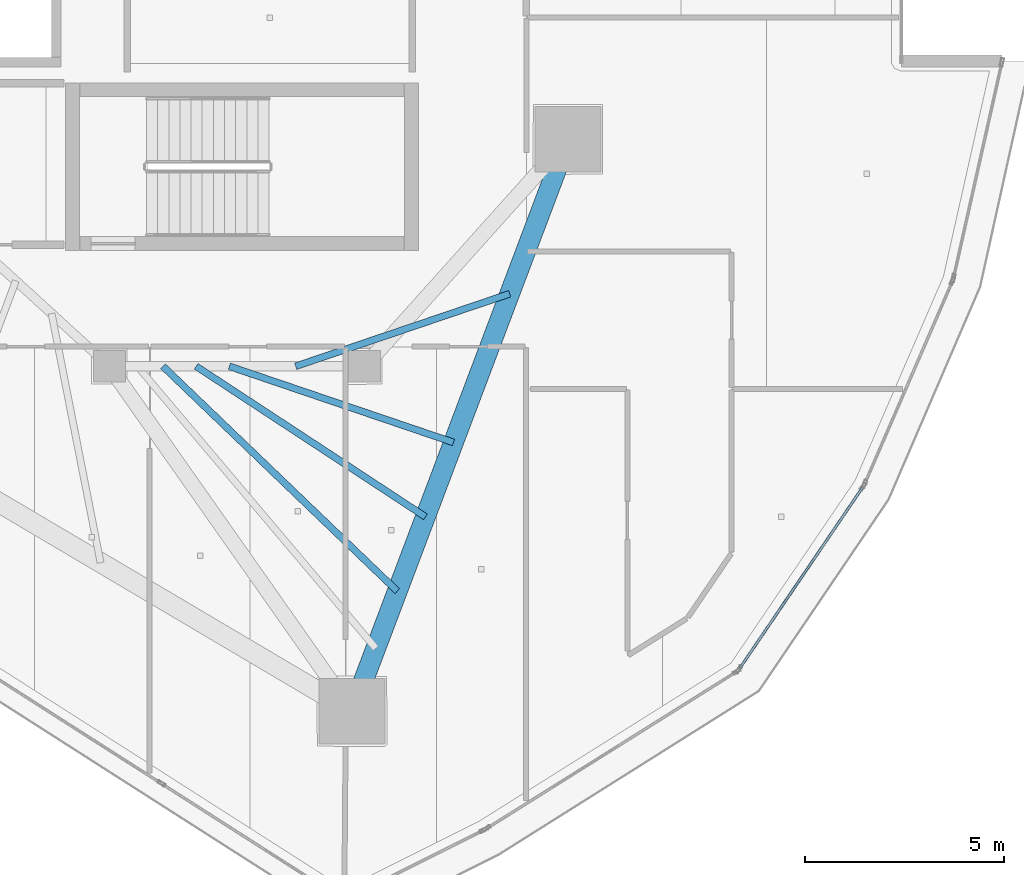
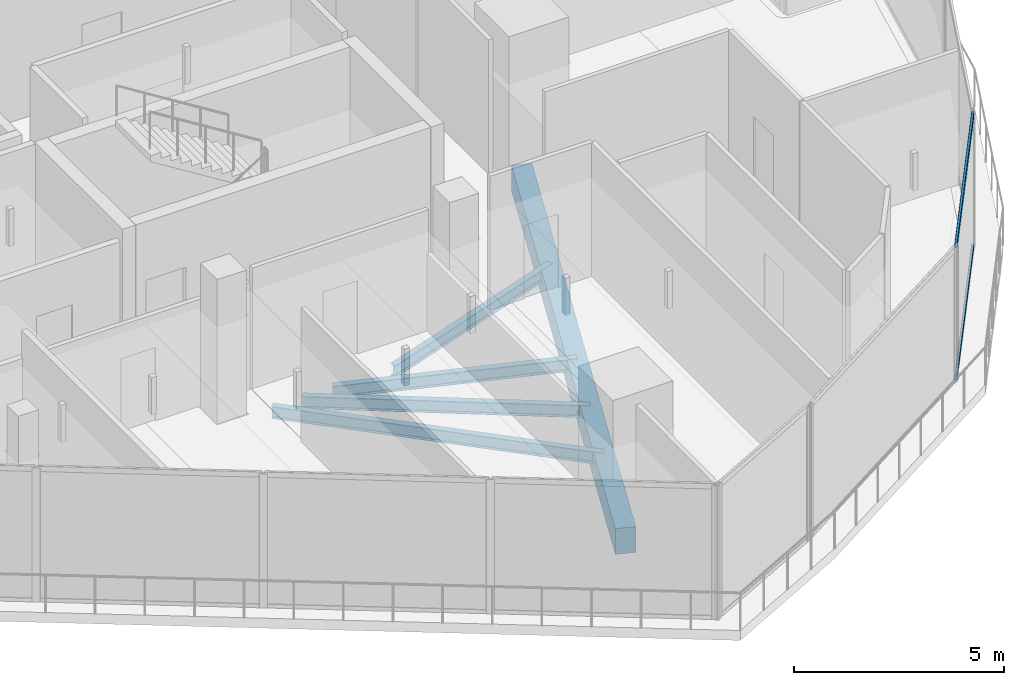
# One storey, part 11 of 33: 5 beams, 2 members, 1 element without a shape of its own.
"""IFC4 building model written with IfcOpenShell, lengths in metres."""

from ifc_helpers import new_model, si_unit, direction, frame, origin, origin_2d, place, context, subcontext, project, spatial, rectangle, hollow_rectangle, i_section, extrude, material, layer, layer_set, material_profile, profile_set, type_object, element, aggregate, save


model = new_model("IFC4")

# Units and contexts
model_context = context("Model", 3, precision=1e-05, world=origin(), true_north=direction((0.0, 1.0)))
body_context = subcontext(model_context, "Body", "Model", "MODEL_VIEW")
ifc_project = project(units=[si_unit("LENGTHUNIT", "METRE"), si_unit("AREAUNIT", "SQUARE_METRE"), si_unit("VOLUMEUNIT", "CUBIC_METRE"), si_unit("PLANEANGLEUNIT", "RADIAN"), si_unit("MASSUNIT", "GRAM", prefix="KILO")], contexts=[model_context])

# Site, building, storey
site_placement = place(None, origin())
site = spatial("IfcSite", under=ifc_project, at=site_placement, CompositionType="ELEMENT")
building_placement = place(site_placement, origin())
building = spatial("IfcBuilding", under=site, at=building_placement, Name="Qorvath Tower", CompositionType="ELEMENT")
storey_placement = place(building_placement, frame((0.0, 0.0, 280.800048828125)))
storey = spatial("IfcBuildingStorey", under=building, at=storey_placement, Name="L65", CompositionType="ELEMENT", Elevation=280.800048828125)

# Beams
ifc_material_1 = material(Name="Steel ASTM A992 Grade 50", Category="steel")
ifc_material_profile_1 = material_profile(ifc_material_1, i_section(OverallWidth=0.1708984375, OverallDepth=0.35107421875, WebThickness=0.0068359375, FlangeThickness=0.009765625, FilletRadius=0.010009765625, at=origin_2d()), Name="W14x30")
ifc_profile_set_1 = profile_set([ifc_material_profile_1], Name="Steel ASTM A992 Grade 50")
beam_type_1 = type_object("IfcBeamType", Name="BM-FJ4", PredefinedType="JOIST", material=ifc_profile_set_1)
beam_1_placement = place(storey_placement, frame((-18.927978515625, -11.449951171875, -0.465576171875), z_axis=(0.947086298547, 0.32097903842, 0.0), x_axis=(-0.32097903842, 0.947086298547, 0.0)))
element("IfcBeam", 1, at=beam_1_placement, inside=storey, type_object=beam_type_1, Name="Composite Floor Joist SE2 L65", PredefinedType="JOIST", context=body_context, shape_type="SweptSolid", body=[
    extrude(i_section(OverallWidth=0.1708984375, OverallDepth=0.35107421875, WebThickness=0.0068359375, FlangeThickness=0.009765625, FilletRadius=0.010009765625, at=origin_2d()), origin(), (0.0, 0.0, 1.0), 5.66796875),
])
beam_2_placement = place(storey_placement, frame((-20.592041015625, -11.449951171875, -0.465576171875), z_axis=(0.946863164885, -0.321636669216, 0.0), x_axis=(0.321636669216, 0.946863164885, 0.0)))
element("IfcBeam", 2, at=beam_2_placement, inside=storey, type_object=beam_type_1, Name="Composite Floor Joist SE4 L65", PredefinedType="JOIST", context=body_context, shape_type="SweptSolid", body=[
    extrude(i_section(OverallWidth=0.1708984375, OverallDepth=0.35107421875, WebThickness=0.0068359375, FlangeThickness=0.009765625, FilletRadius=0.010009765625, at=origin_2d()), origin(), (0.0, 0.0, 1.0), 5.93896484375),
])
beam_3_placement = place(storey_placement, frame((-21.424072265625, -11.449951171875, -0.465576171875), z_axis=(0.835992964387, -0.548740160272, 0.0), x_axis=(0.548740160272, 0.835992964387, 0.0)))
element("IfcBeam", 3, at=beam_3_placement, inside=storey, type_object=beam_type_1, Name="Composite Floor Joist SE5 L65", PredefinedType="JOIST", context=body_context, shape_type="SweptSolid", body=[
    extrude(i_section(OverallWidth=0.1708984375, OverallDepth=0.35107421875, WebThickness=0.0068359375, FlangeThickness=0.009765625, FilletRadius=0.010009765625, at=origin_2d()), origin(), (0.0, 0.0, 1.0), 6.879150390625),
])
beam_4_placement = place(storey_placement, frame((-22.256103515625, -11.449951171875, -0.465576171875), z_axis=(0.721625044611, -0.692284114356, 0.0), x_axis=(0.692284114356, 0.721625044611, 0.0)))
element("IfcBeam", 4, at=beam_4_placement, inside=storey, type_object=beam_type_1, Name="Composite Floor Joist SE6 L65", PredefinedType="JOIST", context=body_context, shape_type="SweptSolid", body=[
    extrude(i_section(OverallWidth=0.1708984375, OverallDepth=0.35107421875, WebThickness=0.0068359375, FlangeThickness=0.009765625, FilletRadius=0.010009765625, at=origin_2d()), origin(), (0.0, 0.0, 1.0), 8.14599609375),
])
ifc_material_2 = material(Name="Concrete C45/55", Category="concrete")
ifc_material_profile_2 = material_profile(ifc_material_2, rectangle(XDim=0.5, YDim=0.75, at=origin_2d()), Name="RCB 750x500")
ifc_profile_set_2 = profile_set([ifc_material_profile_2], Name="Concrete C45/55")
beam_type_2 = type_object("IfcBeamType", Name="BM-RCB3", PredefinedType="SPANDREL", material=ifc_profile_set_2)
beam_5_placement = place(storey_placement, frame((-17.515380859375, -20.1015625, -0.6650390625), z_axis=(0.353397781952, 0.935473146441, 0.0), x_axis=(-0.935473146441, 0.353397781952, 0.0)))
element("IfcBeam", 5, at=beam_5_placement, inside=storey, type_object=beam_type_2, Name="Perimeter Loggia Frame Beam MC3-MC4 L65", PredefinedType="SPANDREL", context=body_context, shape_type="SweptSolid", body=[
    extrude(rectangle(XDim=0.5, YDim=0.75, at=origin_2d()), origin(), (0.0, 0.0, 1.0), 15.333251953125),
])

# Curtain wall, members
ifc_material_3 = material(Name="Anodised aluminium and triple low-E glass", Category="aluminium")
ifc_layer = layer(ifc_material_3, 0.179931640625)
ifc_layer_set = layer_set([ifc_layer], Name="CW-SYS-4")
curtain_wall_type = type_object("IfcCurtainWallType", Name="CW-SYS-4", PredefinedType="NOTDEFINED", material=ifc_layer_set)
curtain_wall_placement = place(storey_placement, origin())
curtain_wall = element("IfcCurtainWall", 6, at=curtain_wall_placement, inside=storey, type_object=curtain_wall_type, Name="Curtain Wall CW-4 CW-T-L65-5.1", PredefinedType="NOTDEFINED")
ifc_material_4 = material(Name="Anodised aluminium 6063-T6", Category="aluminium")
ifc_material_profile_3 = material_profile(ifc_material_4, hollow_rectangle(XDim=0.06494140625, YDim=0.159912109375, WallThickness=0.00341796875, InnerFilletRadius=0.00341796875, OuterFilletRadius=0.007080078125, at=origin_2d()), Name="CWT 160x65")
ifc_profile_set_3 = profile_set([ifc_material_profile_3], Name="Anodised aluminium 6063-T6")
member_type = type_object("IfcMemberType", Name="CWT-160", PredefinedType="USERDEFINED", material=ifc_profile_set_3)
member_1_placement = place(storey_placement, frame((-7.789306640625, -19.023193359375, 0.032470703125), z_axis=(0.561876698807, 0.827220995465, 0.0), x_axis=(-0.827220995465, 0.561876698807, 0.0)))
member_1 = element("IfcMember", 7, at=member_1_placement, type_object=member_type, Name="CW-4 transom 1.1", ObjectType="TRANSOM", PredefinedType="USERDEFINED", context=body_context, shape_type="SweptSolid", body=[
    extrude(hollow_rectangle(XDim=0.06494140625, YDim=0.159912109375, WallThickness=0.00341796875, InnerFilletRadius=0.00341796875, OuterFilletRadius=0.007080078125, at=origin_2d()), origin(), (0.0, 0.0, 1.0), 5.4716796875),
])
member_2_placement = place(storey_placement, frame((-7.789306640625, -19.023193359375, 3.87744140625), z_axis=(0.561876698807, 0.827220995465, 0.0), x_axis=(-0.827220995465, 0.561876698807, 0.0)))
member_2 = element("IfcMember", 8, at=member_2_placement, type_object=member_type, Name="CW-4 transom 1.2", ObjectType="TRANSOM", PredefinedType="USERDEFINED", context=body_context, shape_type="SweptSolid", body=[
    extrude(hollow_rectangle(XDim=0.06494140625, YDim=0.159912109375, WallThickness=0.00341796875, InnerFilletRadius=0.00341796875, OuterFilletRadius=0.007080078125, at=origin_2d()), origin(), (0.0, 0.0, 1.0), 5.4716796875),
])
aggregate(curtain_wall, [member_1, member_2])

save(model, "model.ifc")
